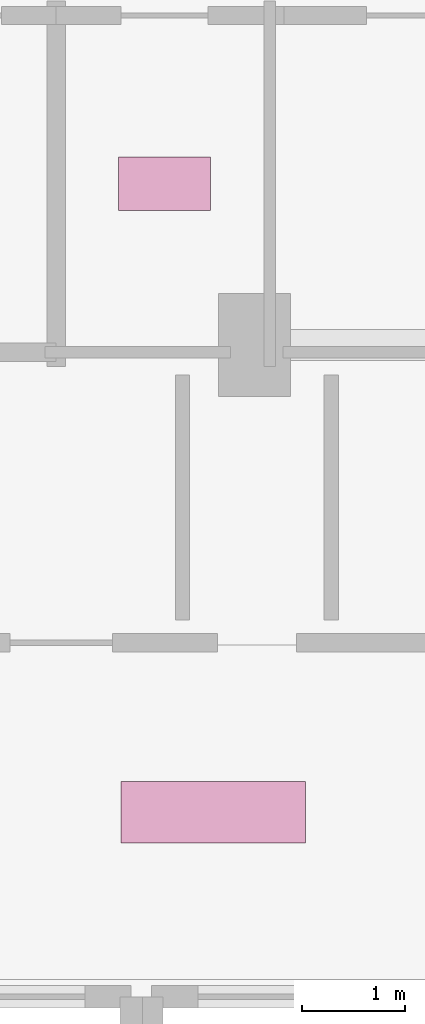
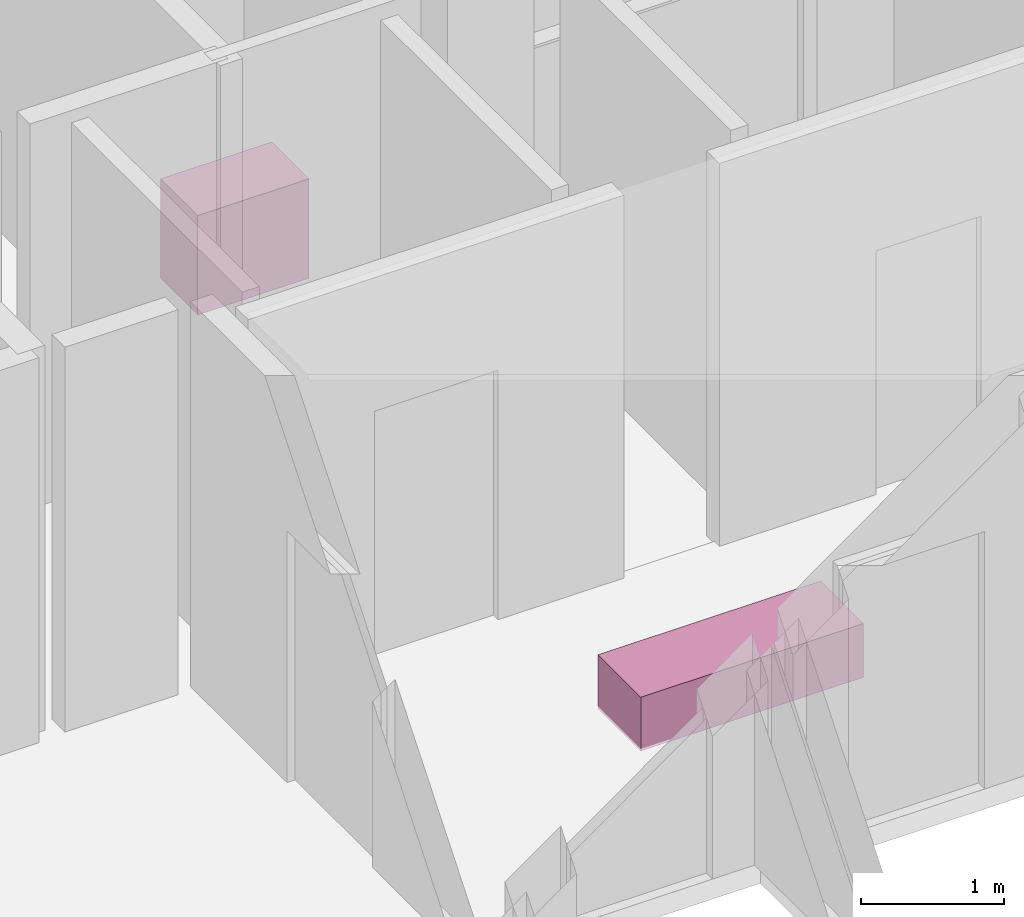
# One storey, part 34 of 34: 2 furnishings.
"""IFC4 building model written with IfcOpenShell, lengths in metres."""

from ifc_helpers import new_model, si_unit, direction, frame, origin, origin_2d, place, context, subcontext, project, spatial, rectangle, extrude, material, type_object, element, save


model = new_model("IFC4")

# Units and contexts
model_context = context("Model", 3, precision=1e-05, world=origin(), true_north=direction((0.0, 1.0)))
body_context = subcontext(model_context, "Body", "Model", "MODEL_VIEW")
ifc_project = project(units=[si_unit("LENGTHUNIT", "METRE"), si_unit("AREAUNIT", "SQUARE_METRE"), si_unit("VOLUMEUNIT", "CUBIC_METRE"), si_unit("PLANEANGLEUNIT", "RADIAN"), si_unit("MASSUNIT", "GRAM", prefix="KILO")], contexts=[model_context])

# Site, building, storey
site_placement = place(None, origin())
site = spatial("IfcSite", under=ifc_project, at=site_placement, CompositionType="ELEMENT")
building_placement = place(site_placement, origin())
building = spatial("IfcBuilding", under=site, at=building_placement, Name="Vorneva Point Tower", CompositionType="ELEMENT")
storey_placement = place(building_placement, frame((0.0, 0.0, 214.300048828125)))
storey = spatial("IfcBuildingStorey", under=building, at=storey_placement, Name="L58", CompositionType="ELEMENT", Elevation=214.300048828125)

# Furnishings
ifc_material_1 = material(Name="Engineered oak fire-rated door leaf", Category="wood")
furniture_type_1 = type_object("IfcFurnitureType", Name="FUR-BNC-1800", AssemblyPlace="NOTDEFINED", PredefinedType="NOTDEFINED", material=ifc_material_1)
furnishing_1_placement = place(storey_placement, frame((35.0, 26.0, -0.005126953125), z_axis=(0.0, 0.0, 1.0), x_axis=(1.0, 0.0, 0.0)))
element("IfcFurnishingElement", 1, at=furnishing_1_placement, inside=storey, type_object=furniture_type_1, Name="L58 Lift Lobby Seating Bench", ObjectType="L58 Lift Lobby Seating Bench", context=body_context, shape_type="SweptSolid", body=[
    extrude(rectangle(XDim=1.800048828125, YDim=0.60009765625, at=origin_2d()), origin(), (0.0, 0.0, 1.0), 0.4599609375),
])
ifc_material_2 = material(Name="Vitreous china and granite top", Category="masonry")
furniture_type_2 = type_object("IfcFurnitureType", Name="FUR-VAN-900", AssemblyPlace="NOTDEFINED", PredefinedType="NOTDEFINED", material=ifc_material_2)
furnishing_2_placement = place(storey_placement, frame((34.52490234375, 32.1201171875, -0.005126953125), z_axis=(0.0, 0.0, 1.0), x_axis=(1.0, 0.0, 0.0)))
element("IfcFurnishingElement", 2, at=furnishing_2_placement, inside=storey, type_object=furniture_type_2, Name="L58 Accessible WC Vanity Unit", ObjectType="L58 Accessible WC Vanity Unit", context=body_context, shape_type="SweptSolid", body=[
    extrude(rectangle(XDim=0.89990234375, YDim=0.52001953125, at=origin_2d()), origin(), (0.0, 0.0, 1.0), 0.85009765625),
])

save(model, "model.ifc")
